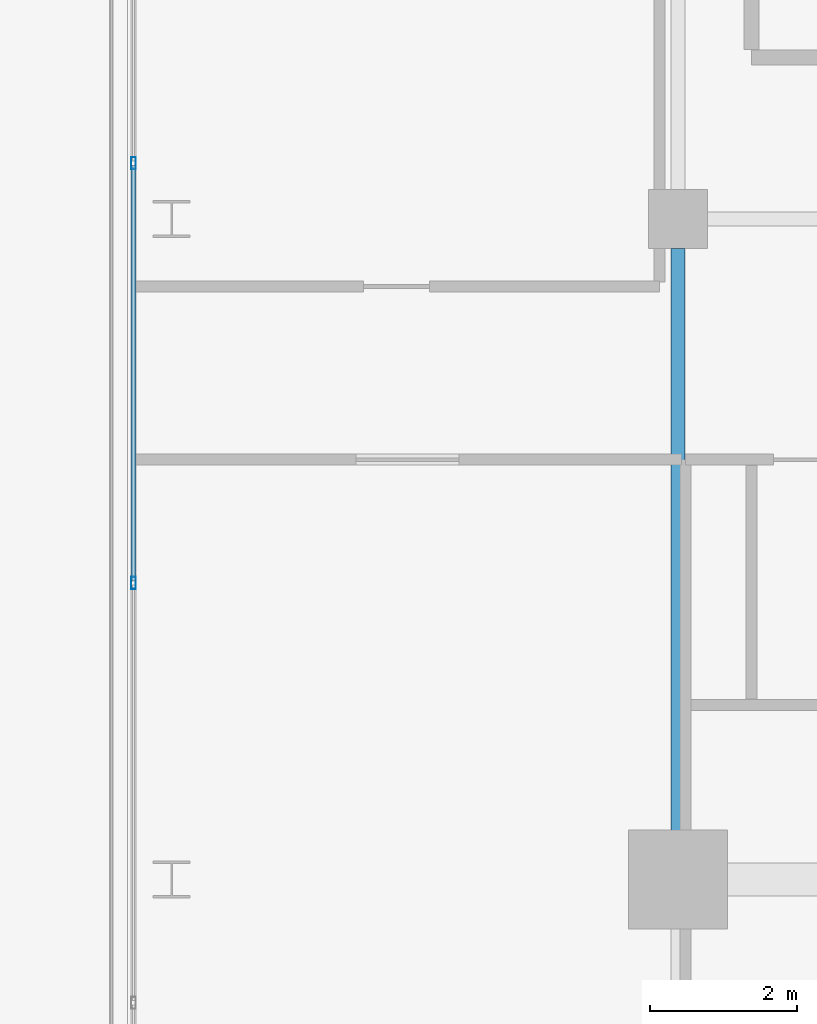
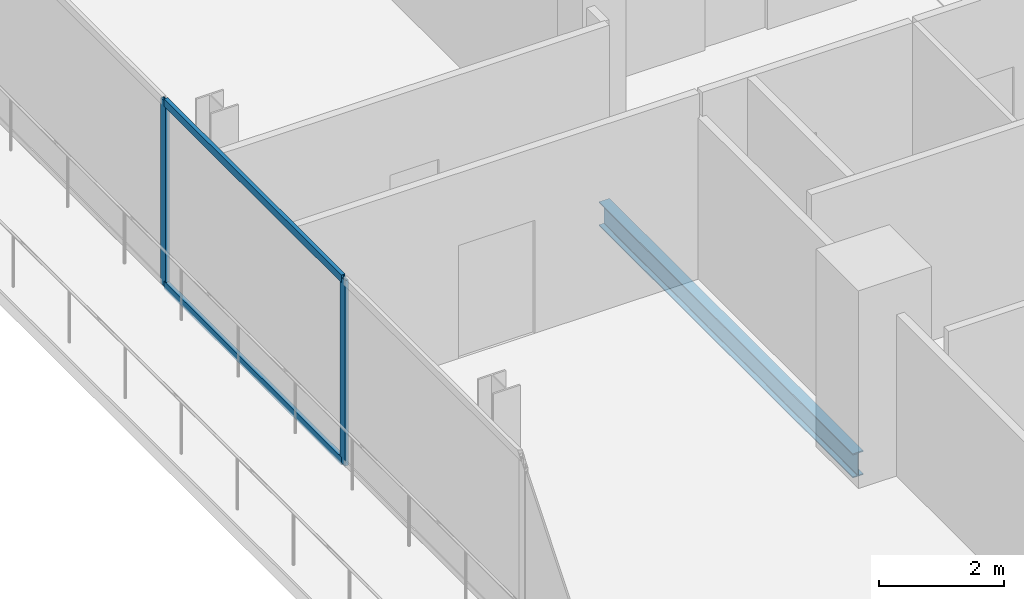
# One storey, part 7 of 21: 4 members, 1 beam, 1 element without a shape of its own.
"""IFC4 building model written with IfcOpenShell, lengths in metres."""

from ifc_helpers import new_model, si_unit, direction, frame, origin, origin_2d, place, context, subcontext, project, spatial, hollow_rectangle, i_section, extrude, material, layer, layer_set, material_profile, profile_set, type_object, element, aggregate, save


model = new_model("IFC4")

# Units and contexts
model_context = context("Model", 3, precision=1e-05, world=origin(), true_north=direction((0.0, 1.0)))
body_context = subcontext(model_context, "Body", "Model", "MODEL_VIEW")
ifc_project = project(units=[si_unit("LENGTHUNIT", "METRE"), si_unit("AREAUNIT", "SQUARE_METRE"), si_unit("VOLUMEUNIT", "CUBIC_METRE"), si_unit("PLANEANGLEUNIT", "RADIAN"), si_unit("MASSUNIT", "GRAM", prefix="KILO")], contexts=[model_context])

# Site, building, storey
site_placement = place(None, origin())
site = spatial("IfcSite", under=ifc_project, at=site_placement, CompositionType="ELEMENT")
building_placement = place(site_placement, origin())
building = spatial("IfcBuilding", under=site, at=building_placement, Name="Maruvema Waterfront Hotel and Observation Tower", CompositionType="ELEMENT")
storey_placement = place(building_placement, frame((0.0, 0.0, 322.0)))
storey = spatial("IfcBuildingStorey", under=building, at=storey_placement, Name="L79", CompositionType="ELEMENT", Elevation=322.0)

# Curtain wall, members
ifc_material_1 = material(Name="Anodised bronze aluminium and solar-control low-E IGU", Category="aluminium")
ifc_layer = layer(ifc_material_1, 0.159912109375, Name="Zone 4 Sky Residence Inner Curtain Wall System CW-05")
ifc_layer_set = layer_set([ifc_layer], Name="Anodised bronze aluminium and solar-control low-E IGU")
curtain_wall_type = type_object("IfcCurtainWallType", Name="Zone 4 Sky Residence Inner Curtain Wall System CW-05", PredefinedType="USERDEFINED", material=ifc_layer_set)
curtain_wall_placement = place(storey_placement, origin())
curtain_wall = element("IfcCurtainWall", 1, at=curtain_wall_placement, inside=storey, type_object=curtain_wall_type, Name="L79 Curtain Wall CW-L79-W", ObjectType="UNITISED CURTAIN WALL", PredefinedType="USERDEFINED")
ifc_material_2 = material(Name="Anodised architectural bronze aluminium", Category="aluminium")
ifc_material_profile_1 = material_profile(ifc_material_2, hollow_rectangle(XDim=0.070068359375, YDim=0.14990234375, WallThickness=0.00390625, at=origin_2d()), Name="ALU-T70x150")
ifc_profile_set_1 = profile_set([ifc_material_profile_1], Name="Anodised architectural bronze aluminium")
member_type_1 = type_object("IfcMemberType", Name="Curtain Wall Horizontal Transom ALU-T70x150", PredefinedType="USERDEFINED", material=ifc_profile_set_1)
member_1_placement = place(storey_placement, frame((17.780029296875, 36.72998046875, 0.030029296875), z_axis=(0.0, -1.0, 0.0), x_axis=(1.0, 0.0, 0.0)))
member_1 = element("IfcMember", 2, at=member_1_placement, type_object=member_type_1, Name="CW-05 transom 3.1", ObjectType="TRANSOM", PredefinedType="USERDEFINED", context=body_context, shape_type="SweptSolid", body=[
    extrude(hollow_rectangle(XDim=0.070068359375, YDim=0.14990234375, WallThickness=0.00390625, at=origin_2d()), origin(), (0.0, 0.0, 1.0), 5.659912109375),
])
member_2_placement = place(storey_placement, frame((17.780029296875, 36.72998046875, 3.580078125), z_axis=(0.0, -1.0, 0.0), x_axis=(1.0, 0.0, 0.0)))
member_2 = element("IfcMember", 3, at=member_2_placement, type_object=member_type_1, Name="CW-05 transom 3.2", ObjectType="TRANSOM", PredefinedType="USERDEFINED", context=body_context, shape_type="SweptSolid", body=[
    extrude(hollow_rectangle(XDim=0.070068359375, YDim=0.14990234375, WallThickness=0.00390625, at=origin_2d()), origin(), (0.0, 0.0, 1.0), 5.659912109375),
])
ifc_material_3 = material(Name="Anodised architectural bronze aluminium", Category="aluminium")
ifc_material_profile_2 = material_profile(ifc_material_3, hollow_rectangle(XDim=0.06494140625, YDim=0.1650390625, WallThickness=0.00390625, at=origin_2d()), Name="ALU-M65x165")
ifc_profile_set_2 = profile_set([ifc_material_profile_2], Name="Anodised architectural bronze aluminium")
member_type_2 = type_object("IfcMemberType", Name="Curtain Wall Primary Mullion ALU-M65x165", PredefinedType="MULLION", material=ifc_profile_set_2)
member_3_placement = place(storey_placement, frame((17.780029296875, 36.760009765625, 0.0), z_axis=(0.0, 0.0, 1.0), x_axis=(1.0, 0.0, 0.0)))
member_3 = element("IfcMember", 4, at=member_3_placement, type_object=member_type_2, Name="CW-05 mullion 3", PredefinedType="MULLION", context=body_context, shape_type="SweptSolid", body=[
    extrude(hollow_rectangle(XDim=0.06494140625, YDim=0.1650390625, WallThickness=0.00390625, at=origin_2d()), origin(), (0.0, 0.0, 1.0), 3.610107421875),
])
member_4_placement = place(storey_placement, frame((17.780029296875, 31.0400390625, 0.0), z_axis=(0.0, 0.0, 1.0), x_axis=(1.0, 0.0, 0.0)))
member_4 = element("IfcMember", 5, at=member_4_placement, type_object=member_type_2, Name="CW-05 mullion 4", PredefinedType="MULLION", context=body_context, shape_type="SweptSolid", body=[
    extrude(hollow_rectangle(XDim=0.06494140625, YDim=0.1650390625, WallThickness=0.00390625, at=origin_2d()), origin(), (0.0, 0.0, 1.0), 3.610107421875),
])
aggregate(curtain_wall, [member_3, member_4, member_1, member_2])

# Beam
ifc_material_4 = material(Name="Steel ASTM A572 Grade 50", Category="steel")
ifc_material_profile_3 = material_profile(ifc_material_4, i_section(OverallWidth=0.194091796875, OverallDepth=0.468994140625, WebThickness=0.0126953125, FlangeThickness=0.0205078125, FilletRadius=0.014892578125, at=origin_2d()), Name="W460x106.0")
ifc_profile_set_3 = profile_set([ifc_material_profile_3], Name="Steel ASTM A572 Grade 50")
beam_type = type_object("IfcBeamType", Name="Primary Floor Girder W460x106.0", PredefinedType="BEAM", material=ifc_profile_set_3)
beam_placement = place(storey_placement, frame((25.199951171875, 27.5, -0.474609375), z_axis=(0.0, 1.0, 0.0), x_axis=(-1.0, 0.0, 0.0)))
element("IfcBeam", 6, at=beam_placement, inside=storey, type_object=beam_type, Name="L79 Floor Girder NS-02", PredefinedType="BEAM", context=body_context, shape_type="SweptSolid", body=[
    extrude(i_section(OverallWidth=0.194091796875, OverallDepth=0.468994140625, WebThickness=0.0126953125, FlangeThickness=0.0205078125, FilletRadius=0.014892578125, at=origin_2d()), origin(), (0.0, 0.0, 1.0), 8.10009765625),
])

save(model, "model.ifc")
